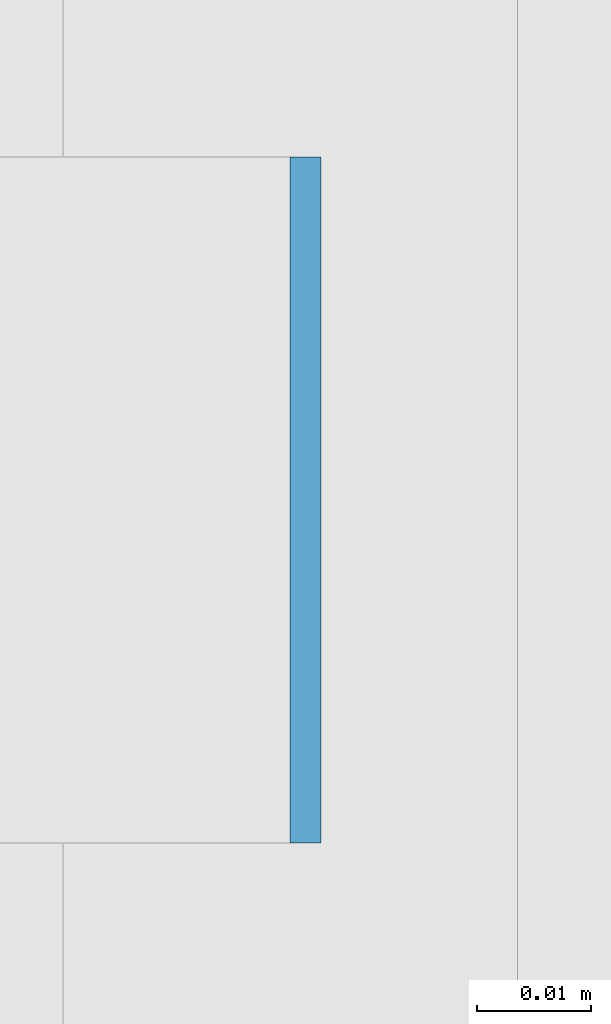
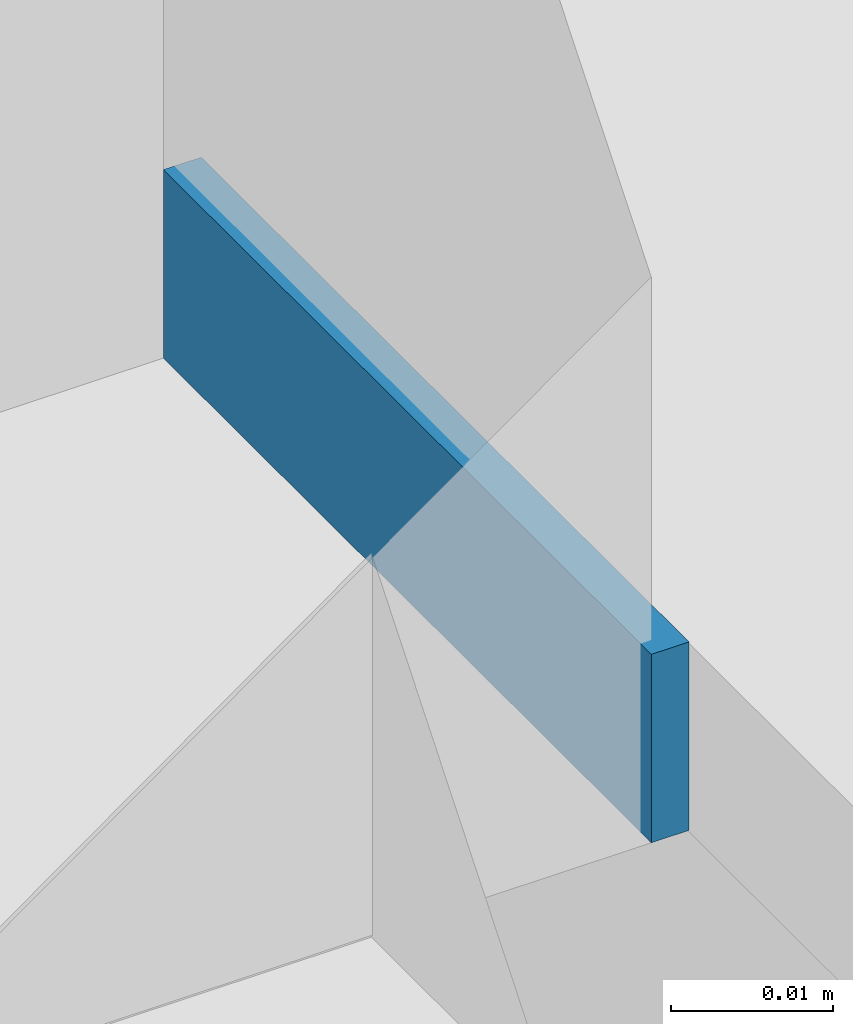
# One storey, part 308 of 646: 1 discrete accessory.
"""IFC4 building model written with IfcOpenShell, lengths in metres."""

from ifc_helpers import new_model, si_unit, direction, frame, origin, origin_2d, place, context, subcontext, project, spatial, rectangle, extrude, material, type_object, element, save


model = new_model("IFC4")

# Units and contexts
model_context = context("Model", 3, precision=1e-05, world=origin(), true_north=direction((0.0, 1.0)))
body_context = subcontext(model_context, "Body", "Model", "MODEL_VIEW")
ifc_project = project(units=[si_unit("LENGTHUNIT", "METRE"), si_unit("AREAUNIT", "SQUARE_METRE"), si_unit("VOLUMEUNIT", "CUBIC_METRE"), si_unit("PLANEANGLEUNIT", "RADIAN"), si_unit("MASSUNIT", "GRAM", prefix="KILO")], contexts=[model_context])

# Site, building, storey
site_placement = place(None, origin())
site = spatial("IfcSite", under=ifc_project, at=site_placement, CompositionType="ELEMENT")
building_placement = place(site_placement, origin())
building = spatial("IfcBuilding", under=site, at=building_placement, Name="Silverbay Arena", CompositionType="ELEMENT")
storey_placement = place(building_placement, frame((0.0, 0.0, 33.5)))
storey = spatial("IfcBuildingStorey", under=building, at=storey_placement, Name="L05", CompositionType="ELEMENT", Elevation=33.5)

# Discrete accessory
ifc_material = material(Name="Steel S355", Category="steel")
discrete_accessory_type = type_object("IfcDiscreteAccessoryType", Name="Steel bracket plate", PredefinedType="BRACKET", material=ifc_material)
discrete_accessory_placement = place(storey_placement, frame((53.871337890625, 66.857177734375, 4.0), z_axis=(0.0, 0.0, 1.0), x_axis=(1.0, 0.0, 0.0)))
element("IfcDiscreteAccessory", 1, at=discrete_accessory_placement, inside=storey, type_object=discrete_accessory_type, Name="Curtain wall packing plate", PredefinedType="BRACKET", context=body_context, shape_type="SweptSolid", body=[
    extrude(rectangle(XDim=0.002685546875, YDim=0.06005859375, at=origin_2d()), origin(), (0.0, 0.0, 1.0), 0.01416015625),
])

save(model, "model.ifc")
